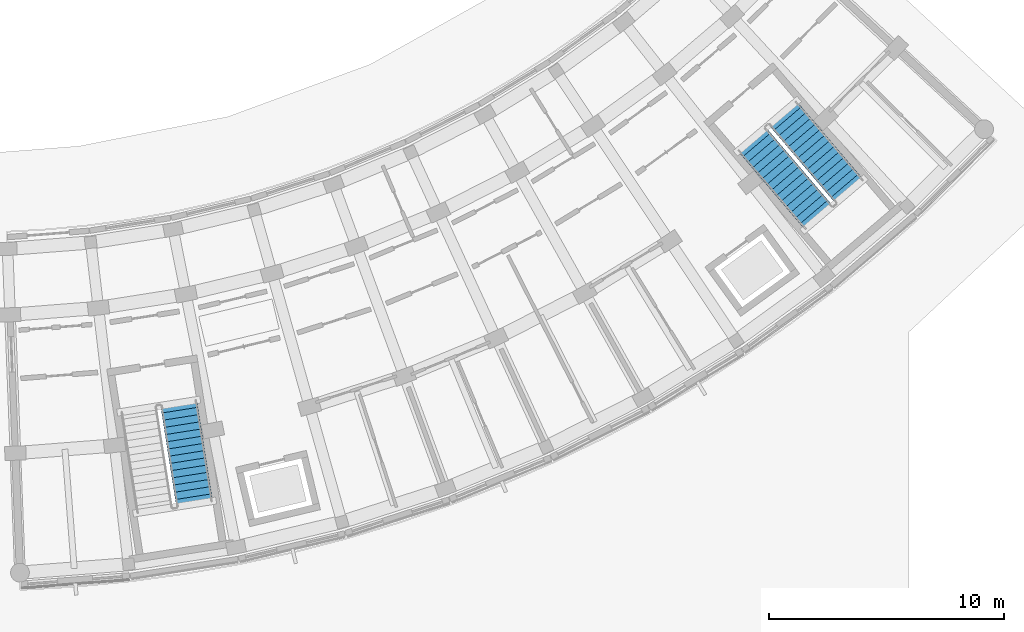
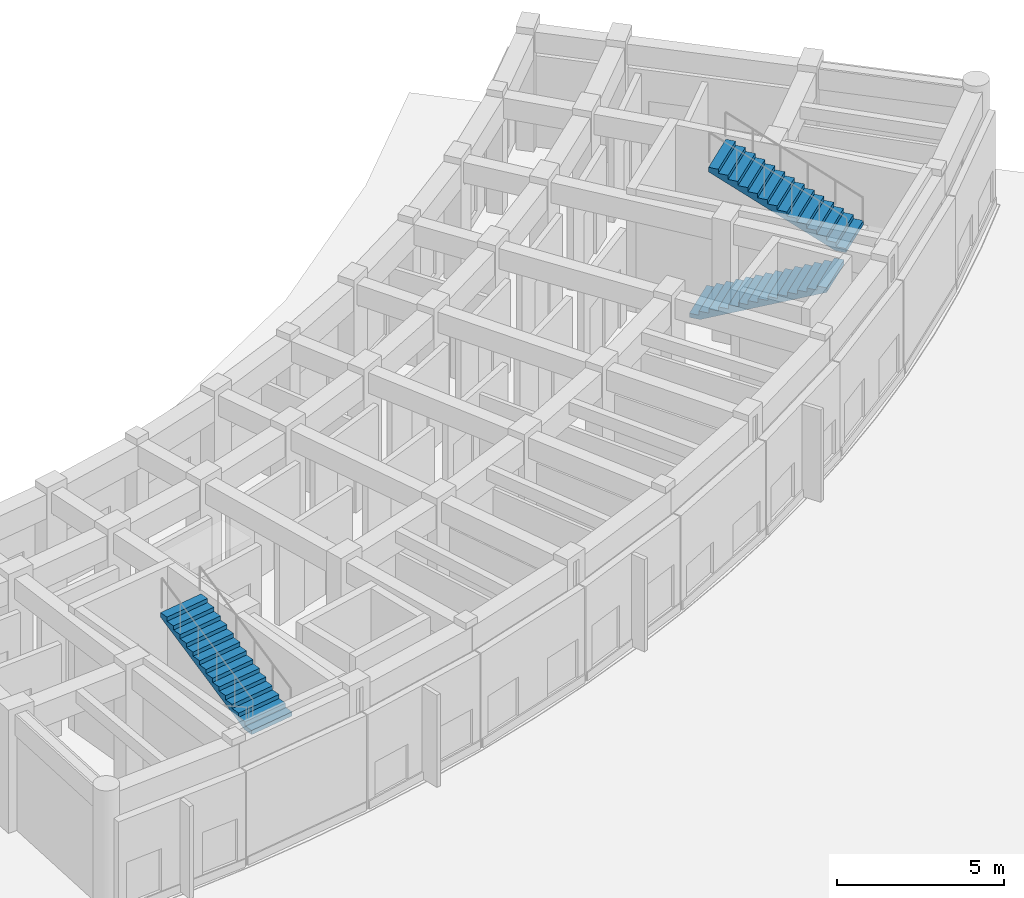
# One storey, part 47 of 61: 3 stair flights, 2 elements without a shape of their own.
"""IFC4 building model written with IfcOpenShell, lengths in metres."""

from ifc_helpers import new_model, si_unit, direction, frame, origin, place, context, subcontext, project, spatial, polyline, outline, extrude, material, type_object, element, aggregate, save


model = new_model("IFC4")

# Units and contexts
model_context = context("Model", 3, precision=1e-05, world=origin(), true_north=direction((0.0, 1.0)))
body_context = subcontext(model_context, "Body", "Model", "MODEL_VIEW")
ifc_project = project(units=[si_unit("LENGTHUNIT", "METRE"), si_unit("AREAUNIT", "SQUARE_METRE"), si_unit("VOLUMEUNIT", "CUBIC_METRE"), si_unit("PLANEANGLEUNIT", "RADIAN"), si_unit("MASSUNIT", "GRAM", prefix="KILO")], contexts=[model_context])

# Site, building, storey
site_placement = place(None, origin())
site = spatial("IfcSite", under=ifc_project, at=site_placement, CompositionType="ELEMENT")
building_placement = place(site_placement, origin())
building = spatial("IfcBuilding", under=site, at=building_placement, Name="Zimvara Arc Housing Community", CompositionType="ELEMENT")
storey_placement = place(building_placement, origin())
storey = spatial("IfcBuildingStorey", under=building, at=storey_placement, Name="L00", CompositionType="ELEMENT", Elevation=0.0)

# Stair, stair flight
ifc_material_1 = material(Name="Concrete C35/45", Category="concrete")
stair_type_1 = type_object("IfcStairType", Name="STR-DL-310-450", PredefinedType="HALF_TURN_STAIR", material=ifc_material_1)
stair_1_placement = place(storey_placement, origin())
stair_1 = element("IfcStair", 1, at=stair_1_placement, inside=storey, type_object=stair_type_1, Name="L00 Block D Exit Stair 1", PredefinedType="HALF_TURN_STAIR")
ifc_material_2 = material(Name="Concrete C35/45", Category="concrete")
stair_flight_type_1 = type_object("IfcStairFlightType", Name="STF-DL-310-450", PredefinedType="STRAIGHT", material=ifc_material_2)
stair_flight_1_placement = place(storey_placement, frame((135.65673828125, 53.944580078125, 2.25), z_axis=(0.0, 0.0, 1.0), x_axis=(-0.155572484907, 0.987824479318, 0.0)))
stair_flight_1 = element("IfcStairFlight", 2, at=stair_flight_1_placement, type_object=stair_flight_type_1, Name="ST-D1 flight 2", NumberOfRisers=15, NumberOfTreads=14, PredefinedType="STRAIGHT", RiserHeight=0.15, TreadLength=0.31, context=body_context, shape_type="SweptSolid", body=[
    extrude(outline(polyline([(0.0, 0.0), (0.0, 0.14990234375), (0.31005859375, 0.14990234375), (0.31005859375, 0.300048828125), (0.6201171875, 0.300048828125), (0.6201171875, 0.449951171875), (0.929931640625, 0.449951171875), (0.929931640625, 0.60009765625), (1.239990234375, 0.60009765625), (1.239990234375, 0.75), (1.550048828125, 0.75), (1.550048828125, 0.89990234375), (1.860107421875, 0.89990234375), (1.860107421875, 1.050048828125), (2.169921875, 1.050048828125), (2.169921875, 1.199951171875), (2.47998046875, 1.199951171875), (2.47998046875, 1.35009765625), (2.7900390625, 1.35009765625), (2.7900390625, 1.5), (3.10009765625, 1.5), (3.10009765625, 1.64990234375), (3.409912109375, 1.64990234375), (3.409912109375, 1.800048828125), (3.719970703125, 1.800048828125), (3.719970703125, 1.949951171875), (4.030029296875, 1.949951171875), (4.030029296875, 2.10009765625), (4.340087890625, 2.10009765625), (4.340087890625, 2.25), (4.340087890625, 1.933349609375), (0.34423828125, 0.0), (0.0, 0.0)])), frame((0.0, 0.780029296875, 0.0), z_axis=(0.0, -1.0, 0.0), x_axis=(1.0, 0.0, 0.0)), (0.0, 0.0, 1.0), 1.56005859375),
])
aggregate(stair_1, [stair_flight_1])

# Stair, stair flights
ifc_material_3 = material(Name="Concrete C35/45", Category="concrete")
stair_type_2 = type_object("IfcStairType", Name="STR-DL-312-450", PredefinedType="HALF_TURN_STAIR", material=ifc_material_3)
stair_2_placement = place(storey_placement, origin())
stair_2 = element("IfcStair", 3, at=stair_2_placement, inside=storey, type_object=stair_type_2, Name="L00 Block D Exit Stair 2", PredefinedType="HALF_TURN_STAIR")
ifc_material_4 = material(Name="Concrete C35/45", Category="concrete")
stair_flight_type_2 = type_object("IfcStairFlightType", Name="STF-DL-312-450", PredefinedType="STRAIGHT", material=ifc_material_4)
stair_flight_2_placement = place(storey_placement, frame((159.32177734375, 69.427001953125, 0.0), z_axis=(0.0, 0.0, 1.0), x_axis=(0.648784221735, -0.760972426325, 0.0)))
stair_flight_2 = element("IfcStairFlight", 4, at=stair_flight_2_placement, type_object=stair_flight_type_2, Name="ST-D2 flight 1", NumberOfRisers=15, NumberOfTreads=14, PredefinedType="STRAIGHT", RiserHeight=0.15, TreadLength=0.312, context=body_context, shape_type="SweptSolid", body=[
    extrude(outline(polyline([(0.0, 0.0), (0.0, 0.14990234375), (0.31201171875, 0.14990234375), (0.31201171875, 0.300048828125), (0.6240234375, 0.300048828125), (0.6240234375, 0.449951171875), (0.93603515625, 0.449951171875), (0.93603515625, 0.60009765625), (1.248046875, 0.60009765625), (1.248046875, 0.75), (1.56005859375, 0.75), (1.56005859375, 0.89990234375), (1.8720703125, 0.89990234375), (1.8720703125, 1.050048828125), (2.18408203125, 1.050048828125), (2.18408203125, 1.199951171875), (2.49609375, 1.199951171875), (2.49609375, 1.35009765625), (2.80810546875, 1.35009765625), (2.80810546875, 1.5), (3.1201171875, 1.5), (3.1201171875, 1.64990234375), (3.431884765625, 1.64990234375), (3.431884765625, 1.800048828125), (3.743896484375, 1.800048828125), (3.743896484375, 1.949951171875), (4.055908203125, 1.949951171875), (4.055908203125, 2.10009765625), (4.367919921875, 2.10009765625), (4.367919921875, 2.25), (4.367919921875, 1.93359375), (0.345947265625, 0.0), (0.0, 0.0)])), frame((0.0, 0.780029296875, 0.0), z_axis=(0.0, -1.0, 0.0), x_axis=(1.0, 0.0, 0.0)), (0.0, 0.0, 1.0), 1.56005859375),
])
stair_flight_3_placement = place(storey_placement, frame((163.464599609375, 67.218994140625, 2.25), z_axis=(0.0, 0.0, 1.0), x_axis=(-0.648784221735, 0.760972426325, 0.0)))
stair_flight_3 = element("IfcStairFlight", 5, at=stair_flight_3_placement, type_object=stair_flight_type_2, Name="ST-D2 flight 2", NumberOfRisers=15, NumberOfTreads=14, PredefinedType="STRAIGHT", RiserHeight=0.15, TreadLength=0.312, context=body_context, shape_type="SweptSolid", body=[
    extrude(outline(polyline([(0.0, 0.0), (0.0, 0.14990234375), (0.31201171875, 0.14990234375), (0.31201171875, 0.300048828125), (0.6240234375, 0.300048828125), (0.6240234375, 0.449951171875), (0.93603515625, 0.449951171875), (0.93603515625, 0.60009765625), (1.248046875, 0.60009765625), (1.248046875, 0.75), (1.56005859375, 0.75), (1.56005859375, 0.89990234375), (1.8720703125, 0.89990234375), (1.8720703125, 1.050048828125), (2.18408203125, 1.050048828125), (2.18408203125, 1.199951171875), (2.49609375, 1.199951171875), (2.49609375, 1.35009765625), (2.80810546875, 1.35009765625), (2.80810546875, 1.5), (3.1201171875, 1.5), (3.1201171875, 1.64990234375), (3.431884765625, 1.64990234375), (3.431884765625, 1.800048828125), (3.743896484375, 1.800048828125), (3.743896484375, 1.949951171875), (4.055908203125, 1.949951171875), (4.055908203125, 2.10009765625), (4.367919921875, 2.10009765625), (4.367919921875, 2.25), (4.367919921875, 1.93359375), (0.345947265625, 0.0), (0.0, 0.0)])), frame((0.0, 0.780029296875, 0.0), z_axis=(0.0, -1.0, 0.0), x_axis=(1.0, 0.0, 0.0)), (0.0, 0.0, 1.0), 1.56005859375),
])
aggregate(stair_2, [stair_flight_2, stair_flight_3])

save(model, "model.ifc")
